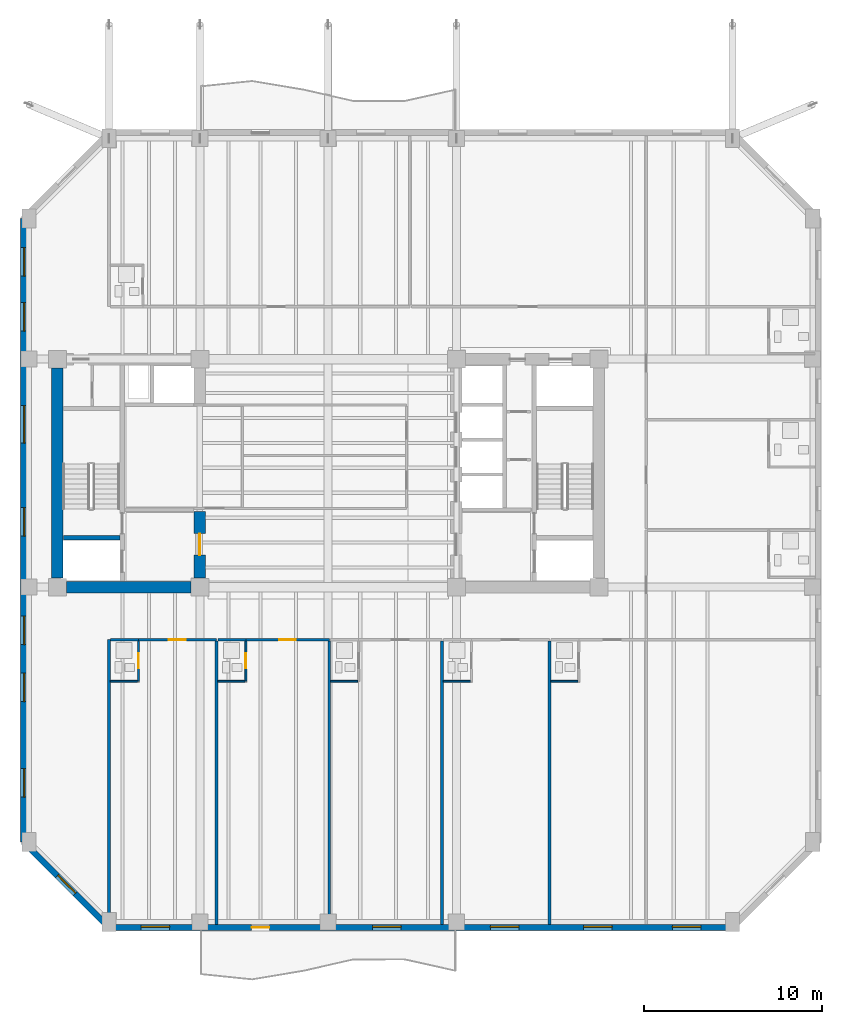
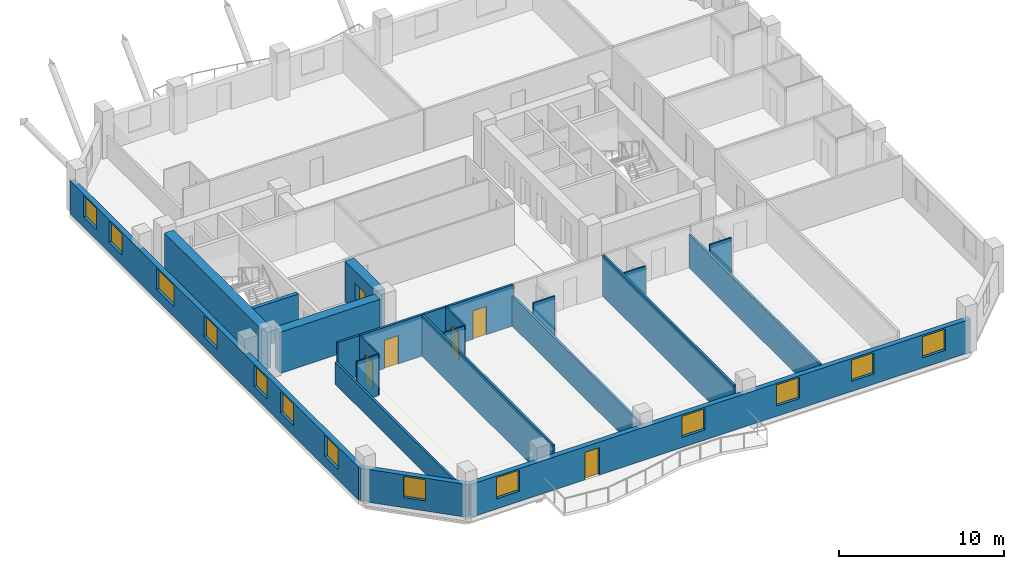
# One storey, part 5 of 12: 23 walls, 13 windows, 6 doors, 19 openings.
"""IFC4 building model written with IfcOpenShell, lengths in metres."""

from ifc_helpers import new_model, si_unit, direction, frame, frame_2d, origin, place, context, subcontext, project, spatial, rectangle, extrude, material, layer, layer_set, type_object, element, fill, save


model = new_model("IFC4")

# Units and contexts
model_context = context("Model", 3, precision=1e-05, world=origin(), true_north=direction((0.0, 1.0)))
body_context = subcontext(model_context, "Body", "Model", "MODEL_VIEW")
ifc_project = project(units=[si_unit("LENGTHUNIT", "METRE"), si_unit("AREAUNIT", "SQUARE_METRE"), si_unit("VOLUMEUNIT", "CUBIC_METRE"), si_unit("PLANEANGLEUNIT", "RADIAN"), si_unit("MASSUNIT", "GRAM", prefix="KILO")], contexts=[model_context])

# Site, building, storey
site_placement = place(None, origin())
site = spatial("IfcSite", under=ifc_project, at=site_placement, CompositionType="ELEMENT")
building_placement = place(site_placement, origin())
building = spatial("IfcBuilding", under=site, at=building_placement, Name="Kranthara Brick Stack", CompositionType="ELEMENT")
storey_placement = place(building_placement, frame((0.0, 0.0, 158.800048828125)))
storey = spatial("IfcBuildingStorey", under=building, at=storey_placement, Name="L40", CompositionType="ELEMENT", Elevation=158.800048828125)

# Wall, openings, door, windows
ifc_material_1 = material(Name="Kiln-fired clay brick masonry M15", Category="masonry")
ifc_layer_1 = layer(ifc_material_1, 0.35009765625)
ifc_layer_set_1 = layer_set([ifc_layer_1], Name="Kiln-fired clay brick masonry M15")
wall_type_1 = type_object("IfcWallType", Name="WL-BRK-SPND-350", PredefinedType="STANDARD", material=ifc_layer_set_1)
wall_1_placement = place(storey_placement, frame((50.699951171875, 1.695068359375, 0.0), z_axis=(0.0, 0.0, 1.0), x_axis=(-1.0, 0.0, 0.0)))
wall_1 = element("IfcWall", 1, at=wall_1_placement, inside=storey, type_object=wall_type_1, Name="L40 Exterior Brick Facade Wall SOUTH 1", PredefinedType="STANDARD", context=body_context, shape_type="SweptSolid", body=[
    extrude(rectangle(XDim=35.0, YDim=0.35009765625, at=frame_2d((17.5, 0.0))), origin(), (0.0, 0.0, 1.0), 2.43505859375),
])
opening_1_placement = place(wall_1_placement, frame((26.0, 0.0, 0.0)))
opening_1 = element("IfcOpeningElement", 2, at=opening_1_placement, cuts=wall_1, Name="Opening D03", PredefinedType="OPENING", context=body_context, shape_type="SweptSolid", body=[
    extrude(rectangle(XDim=1.0, YDim=2.02001953125, at=frame_2d((0.5, 1.010009765625))), frame((0.0, 0.18505859375, 0.0), z_axis=(0.0, -1.0, 0.0), x_axis=(1.0, 0.0, 0.0)), (0.0, 0.0, 1.0), 0.3701171875),
])
opening_2_placement = place(wall_1_placement, frame((1.77490234375, 0.0, 0.75)))
opening_2 = element("IfcOpeningElement", 3, at=opening_2_placement, cuts=wall_1, Name="Opening WN04", PredefinedType="OPENING", context=body_context, shape_type="SweptSolid", body=[
    extrude(rectangle(XDim=1.60009765625, YDim=1.56494140625, at=frame_2d((0.800048828125, 0.782470703125))), frame((0.0, 0.18505859375, 0.0), z_axis=(0.0, -1.0, 0.0), x_axis=(1.0, 0.0, 0.0)), (0.0, 0.0, 1.0), 0.3701171875),
])
opening_3_placement = place(wall_1_placement, frame((6.763916015625, 0.0, 0.75)))
opening_3 = element("IfcOpeningElement", 4, at=opening_3_placement, cuts=wall_1, Name="Opening WN04", PredefinedType="OPENING", context=body_context, shape_type="SweptSolid", body=[
    extrude(rectangle(XDim=1.60009765625, YDim=1.56494140625, at=frame_2d((0.800048828125, 0.782470703125))), frame((0.0, 0.18505859375, 0.0), z_axis=(0.0, -1.0, 0.0), x_axis=(1.0, 0.0, 0.0)), (0.0, 0.0, 1.0), 0.3701171875),
])
opening_4_placement = place(wall_1_placement, frame((11.989013671875, 0.0, 0.75)))
opening_4 = element("IfcOpeningElement", 5, at=opening_4_placement, cuts=wall_1, Name="Opening WN04", PredefinedType="OPENING", context=body_context, shape_type="SweptSolid", body=[
    extrude(rectangle(XDim=1.60009765625, YDim=1.56494140625, at=frame_2d((0.800048828125, 0.782470703125))), frame((0.0, 0.18505859375, 0.0), z_axis=(0.0, -1.0, 0.0), x_axis=(1.0, 0.0, 0.0)), (0.0, 0.0, 1.0), 0.3701171875),
])
opening_5_placement = place(wall_1_placement, frame((18.60400390625, 0.0, 0.75)))
opening_5 = element("IfcOpeningElement", 6, at=opening_5_placement, cuts=wall_1, Name="Opening WN04", PredefinedType="OPENING", context=body_context, shape_type="SweptSolid", body=[
    extrude(rectangle(XDim=1.60009765625, YDim=1.56494140625, at=frame_2d((0.800048828125, 0.782470703125))), frame((0.0, 0.18505859375, 0.0), z_axis=(0.0, -1.0, 0.0), x_axis=(1.0, 0.0, 0.0)), (0.0, 0.0, 1.0), 0.3701171875),
])
opening_6_placement = place(wall_1_placement, frame((31.60009765625, 0.0, 0.75)))
opening_6 = element("IfcOpeningElement", 7, at=opening_6_placement, cuts=wall_1, Name="Opening WN04", PredefinedType="OPENING", context=body_context, shape_type="SweptSolid", body=[
    extrude(rectangle(XDim=1.60009765625, YDim=1.56494140625, at=frame_2d((0.800048828125, 0.782470703125))), frame((0.0, 0.18505859375, 0.0), z_axis=(0.0, -1.0, 0.0), x_axis=(1.0, 0.0, 0.0)), (0.0, 0.0, 1.0), 0.3701171875),
])
ifc_material_2 = material(Name="Bronze anodised aluminium and laminated glass", Category="aluminium")
door_type_1 = type_object("IfcDoorType", Name="DR-BALC-1000", OperationType="NOTDEFINED", PredefinedType="DOOR", material=ifc_material_2)
door_1_placement = place(opening_1_placement, origin())
door_1 = element("IfcDoor", 8, at=door_1_placement, inside=storey, type_object=door_type_1, Name="L40 South Balcony Terrace Door", OperationType="SINGLE_SWING_LEFT", OverallHeight=2.02001953125, OverallWidth=1.0, PredefinedType="DOOR", context=body_context, shape_type="SweptSolid", body=[
    extrude(rectangle(XDim=1.0, YDim=2.02001953125, at=frame_2d((0.5, 1.010009765625))), frame((0.0, 0.02490234375, 0.0), z_axis=(0.0, -1.0, 0.0), x_axis=(1.0, 0.0, 0.0)), (0.0, 0.0, 1.0), 0.050048828125),
])
fill(opening_1, door_1)
ifc_material_3 = material(Name="Double-glazed low-E solar control glass", Category="glass")
window_type_1 = type_object("IfcWindowType", Name="WN-HTL-1600x1850", PartitioningType="DOUBLE_PANEL_VERTICAL", PredefinedType="WINDOW", material=ifc_material_3)
window_1_placement = place(opening_2_placement, origin())
window_1 = element("IfcWindow", 9, at=window_1_placement, inside=storey, type_object=window_type_1, Name="L40 South Deep-Set Brick Window 01", OverallHeight=1.56494140625, OverallWidth=1.60009765625, PartitioningType="SINGLE_PANEL", PredefinedType="WINDOW", context=body_context, shape_type="SweptSolid", body=[
    extrude(rectangle(XDim=1.60009765625, YDim=1.56494140625, at=frame_2d((0.800048828125, 0.782470703125))), frame((0.0, -0.010009765625, 0.0), z_axis=(0.0, -1.0, 0.0), x_axis=(1.0, 0.0, 0.0)), (0.0, 0.0, 1.0), 0.06005859375),
])
fill(opening_2, window_1)
window_2_placement = place(opening_3_placement, origin())
window_2 = element("IfcWindow", 10, at=window_2_placement, inside=storey, type_object=window_type_1, Name="L40 South Deep-Set Brick Window 02", OverallHeight=1.56494140625, OverallWidth=1.60009765625, PartitioningType="SINGLE_PANEL", PredefinedType="WINDOW", context=body_context, shape_type="SweptSolid", body=[
    extrude(rectangle(XDim=1.60009765625, YDim=1.56494140625, at=frame_2d((0.800048828125, 0.782470703125))), frame((0.0, -0.010009765625, 0.0), z_axis=(0.0, -1.0, 0.0), x_axis=(1.0, 0.0, 0.0)), (0.0, 0.0, 1.0), 0.06005859375),
])
fill(opening_3, window_2)
window_3_placement = place(opening_4_placement, origin())
window_3 = element("IfcWindow", 11, at=window_3_placement, inside=storey, type_object=window_type_1, Name="L40 South Deep-Set Brick Window 03", OverallHeight=1.56494140625, OverallWidth=1.60009765625, PartitioningType="SINGLE_PANEL", PredefinedType="WINDOW", context=body_context, shape_type="SweptSolid", body=[
    extrude(rectangle(XDim=1.60009765625, YDim=1.56494140625, at=frame_2d((0.800048828125, 0.782470703125))), frame((0.0, -0.010009765625, 0.0), z_axis=(0.0, -1.0, 0.0), x_axis=(1.0, 0.0, 0.0)), (0.0, 0.0, 1.0), 0.06005859375),
])
fill(opening_4, window_3)
window_4_placement = place(opening_5_placement, origin())
window_4 = element("IfcWindow", 12, at=window_4_placement, inside=storey, type_object=window_type_1, Name="L40 South Deep-Set Brick Window 04", OverallHeight=1.56494140625, OverallWidth=1.60009765625, PartitioningType="SINGLE_PANEL", PredefinedType="WINDOW", context=body_context, shape_type="SweptSolid", body=[
    extrude(rectangle(XDim=1.60009765625, YDim=1.56494140625, at=frame_2d((0.800048828125, 0.782470703125))), frame((0.0, -0.010009765625, 0.0), z_axis=(0.0, -1.0, 0.0), x_axis=(1.0, 0.0, 0.0)), (0.0, 0.0, 1.0), 0.06005859375),
])
fill(opening_5, window_4)
window_5_placement = place(opening_6_placement, origin())
window_5 = element("IfcWindow", 13, at=window_5_placement, inside=storey, type_object=window_type_1, Name="L40 South Deep-Set Brick Window 05", OverallHeight=1.56494140625, OverallWidth=1.60009765625, PartitioningType="SINGLE_PANEL", PredefinedType="WINDOW", context=body_context, shape_type="SweptSolid", body=[
    extrude(rectangle(XDim=1.60009765625, YDim=1.56494140625, at=frame_2d((0.800048828125, 0.782470703125))), frame((0.0, -0.010009765625, 0.0), z_axis=(0.0, -1.0, 0.0), x_axis=(1.0, 0.0, 0.0)), (0.0, 0.0, 1.0), 0.06005859375),
])
fill(opening_6, window_5)

# Wall, opening, window
wall_2_placement = place(storey_placement, frame((15.699951171875, 1.695068359375, 0.0), z_axis=(0.0, 0.0, 1.0), x_axis=(-0.707106781187, 0.707106781187, 0.0)))
wall_2 = element("IfcWall", 14, at=wall_2_placement, inside=storey, type_object=wall_type_1, Name="L40 Exterior Brick Facade Wall SW 1", PredefinedType="STANDARD", context=body_context, shape_type="SweptSolid", body=[
    extrude(rectangle(XDim=6.795166015625, YDim=0.35009765625, at=frame_2d((3.3974609375, 0.0))), origin(), (0.0, 0.0, 1.0), 2.43505859375),
])
opening_7_placement = place(wall_2_placement, frame((2.697998046875, 0.0, 0.75)))
opening_7 = element("IfcOpeningElement", 15, at=opening_7_placement, cuts=wall_2, Name="Opening WN10", PredefinedType="OPENING", context=body_context, shape_type="SweptSolid", body=[
    extrude(rectangle(XDim=1.39990234375, YDim=1.56494140625, at=frame_2d((0.699951171875, 0.782470703125))), frame((0.0, 0.18505859375, 0.0), z_axis=(0.0, -1.0, 0.0), x_axis=(1.0, 0.0, 0.0)), (0.0, 0.0, 1.0), 0.3701171875),
])
ifc_material_4 = material(Name="Double-glazed low-E solar control glass", Category="glass")
window_type_2 = type_object("IfcWindowType", Name="WN-CHM-1400x1750", PartitioningType="SINGLE_PANEL", PredefinedType="WINDOW", material=ifc_material_4)
window_6_placement = place(opening_7_placement, origin())
window_6 = element("IfcWindow", 16, at=window_6_placement, inside=storey, type_object=window_type_2, Name="L40 SW Chamfer Corner Window", OverallHeight=1.56494140625, OverallWidth=1.39990234375, PartitioningType="SINGLE_PANEL", PredefinedType="WINDOW", context=body_context, shape_type="SweptSolid", body=[
    extrude(rectangle(XDim=1.39990234375, YDim=1.56494140625, at=frame_2d((0.699951171875, 0.782470703125))), frame((0.0, -0.010009765625, 0.0), z_axis=(0.0, -1.0, 0.0), x_axis=(1.0, 0.0, 0.0)), (0.0, 0.0, 1.0), 0.06005859375),
])
fill(opening_7, window_6)

# Wall, openings, windows
wall_3_placement = place(storey_placement, frame((10.89501953125, 6.5, 0.0), z_axis=(0.0, 0.0, 1.0), x_axis=(0.0, 1.0, 0.0)))
wall_3 = element("IfcWall", 17, at=wall_3_placement, inside=storey, type_object=wall_type_1, Name="L40 Exterior Brick Facade Wall WEST 1", PredefinedType="STANDARD", context=body_context, shape_type="SweptSolid", body=[
    extrude(rectangle(XDim=35.0, YDim=0.35009765625, at=frame_2d((17.5, 0.0))), origin(), (0.0, 0.0, 1.0), 2.43505859375),
])
opening_8_placement = place(wall_3_placement, frame((2.512939453125, 0.0, 0.75)))
opening_8 = element("IfcOpeningElement", 18, at=opening_8_placement, cuts=wall_3, Name="Opening WN04", PredefinedType="OPENING", context=body_context, shape_type="SweptSolid", body=[
    extrude(rectangle(XDim=1.60009765625, YDim=1.56494140625, at=frame_2d((0.800048828125, 0.782470703125))), frame((0.0, 0.18505859375, 0.0), z_axis=(0.0, -1.0, 0.0), x_axis=(1.0, 0.0, 0.0)), (0.0, 0.0, 1.0), 0.3701171875),
])
opening_9_placement = place(wall_3_placement, frame((7.87890625, 0.0, 0.75)))
opening_9 = element("IfcOpeningElement", 19, at=opening_9_placement, cuts=wall_3, Name="Opening WN04", PredefinedType="OPENING", context=body_context, shape_type="SweptSolid", body=[
    extrude(rectangle(XDim=1.60009765625, YDim=1.56494140625, at=frame_2d((0.800048828125, 0.782470703125))), frame((0.0, 0.18505859375, 0.0), z_axis=(0.0, -1.0, 0.0), x_axis=(1.0, 0.0, 0.0)), (0.0, 0.0, 1.0), 0.3701171875),
])
opening_10_placement = place(wall_3_placement, frame((11.071044921875, 0.0, 0.75)))
opening_10 = element("IfcOpeningElement", 20, at=opening_10_placement, cuts=wall_3, Name="Opening WN04", PredefinedType="OPENING", context=body_context, shape_type="SweptSolid", body=[
    extrude(rectangle(XDim=1.60009765625, YDim=1.56494140625, at=frame_2d((0.800048828125, 0.782470703125))), frame((0.0, 0.18505859375, 0.0), z_axis=(0.0, -1.0, 0.0), x_axis=(1.0, 0.0, 0.0)), (0.0, 0.0, 1.0), 0.3701171875),
])
opening_11_placement = place(wall_3_placement, frame((17.1640625, 0.0, 0.75)))
opening_11 = element("IfcOpeningElement", 21, at=opening_11_placement, cuts=wall_3, Name="Opening WN04", PredefinedType="OPENING", context=body_context, shape_type="SweptSolid", body=[
    extrude(rectangle(XDim=1.60009765625, YDim=1.56494140625, at=frame_2d((0.800048828125, 0.782470703125))), frame((0.0, 0.18505859375, 0.0), z_axis=(0.0, -1.0, 0.0), x_axis=(1.0, 0.0, 0.0)), (0.0, 0.0, 1.0), 0.3701171875),
])
opening_12_placement = place(wall_3_placement, frame((22.385986328125, 0.0, 0.75)))
opening_12 = element("IfcOpeningElement", 22, at=opening_12_placement, cuts=wall_3, Name="Opening WN05", PredefinedType="OPENING", context=body_context, shape_type="SweptSolid", body=[
    extrude(rectangle(XDim=2.10009765625, YDim=1.56494140625, at=frame_2d((1.050048828125, 0.782470703125))), frame((0.0, 0.18505859375, 0.0), z_axis=(0.0, -1.0, 0.0), x_axis=(1.0, 0.0, 0.0)), (0.0, 0.0, 1.0), 0.3701171875),
])
opening_13_placement = place(wall_3_placement, frame((28.6708984375, 0.0, 0.75)))
opening_13 = element("IfcOpeningElement", 23, at=opening_13_placement, cuts=wall_3, Name="Opening WN04", PredefinedType="OPENING", context=body_context, shape_type="SweptSolid", body=[
    extrude(rectangle(XDim=1.60009765625, YDim=1.56494140625, at=frame_2d((0.800048828125, 0.782470703125))), frame((0.0, 0.18505859375, 0.0), z_axis=(0.0, -1.0, 0.0), x_axis=(1.0, 0.0, 0.0)), (0.0, 0.0, 1.0), 0.3701171875),
])
opening_14_placement = place(wall_3_placement, frame((31.7548828125, 0.0, 0.75)))
opening_14 = element("IfcOpeningElement", 24, at=opening_14_placement, cuts=wall_3, Name="Opening WN04", PredefinedType="OPENING", context=body_context, shape_type="SweptSolid", body=[
    extrude(rectangle(XDim=1.60009765625, YDim=1.56494140625, at=frame_2d((0.800048828125, 0.782470703125))), frame((0.0, 0.18505859375, 0.0), z_axis=(0.0, -1.0, 0.0), x_axis=(1.0, 0.0, 0.0)), (0.0, 0.0, 1.0), 0.3701171875),
])
window_7_placement = place(opening_8_placement, origin())
window_7 = element("IfcWindow", 25, at=window_7_placement, inside=storey, type_object=window_type_1, Name="L40 West Deep-Set Brick Window 01", OverallHeight=1.56494140625, OverallWidth=1.60009765625, PartitioningType="SINGLE_PANEL", PredefinedType="WINDOW", context=body_context, shape_type="SweptSolid", body=[
    extrude(rectangle(XDim=1.60009765625, YDim=1.56494140625, at=frame_2d((0.800048828125, 0.782470703125))), frame((0.0, -0.010009765625, 0.0), z_axis=(0.0, -1.0, 0.0), x_axis=(1.0, 0.0, 0.0)), (0.0, 0.0, 1.0), 0.06005859375),
])
fill(opening_8, window_7)
window_8_placement = place(opening_9_placement, origin())
window_8 = element("IfcWindow", 26, at=window_8_placement, inside=storey, type_object=window_type_1, Name="L40 West Deep-Set Brick Window 02", OverallHeight=1.56494140625, OverallWidth=1.60009765625, PartitioningType="SINGLE_PANEL", PredefinedType="WINDOW", context=body_context, shape_type="SweptSolid", body=[
    extrude(rectangle(XDim=1.60009765625, YDim=1.56494140625, at=frame_2d((0.800048828125, 0.782470703125))), frame((0.0, -0.010009765625, 0.0), z_axis=(0.0, -1.0, 0.0), x_axis=(1.0, 0.0, 0.0)), (0.0, 0.0, 1.0), 0.06005859375),
])
fill(opening_9, window_8)
window_9_placement = place(opening_10_placement, origin())
window_9 = element("IfcWindow", 27, at=window_9_placement, inside=storey, type_object=window_type_1, Name="L40 West Deep-Set Brick Window 03", OverallHeight=1.56494140625, OverallWidth=1.60009765625, PartitioningType="SINGLE_PANEL", PredefinedType="WINDOW", context=body_context, shape_type="SweptSolid", body=[
    extrude(rectangle(XDim=1.60009765625, YDim=1.56494140625, at=frame_2d((0.800048828125, 0.782470703125))), frame((0.0, -0.010009765625, 0.0), z_axis=(0.0, -1.0, 0.0), x_axis=(1.0, 0.0, 0.0)), (0.0, 0.0, 1.0), 0.06005859375),
])
fill(opening_10, window_9)
window_10_placement = place(opening_11_placement, origin())
window_10 = element("IfcWindow", 28, at=window_10_placement, inside=storey, type_object=window_type_1, Name="L40 West Deep-Set Brick Window 04", OverallHeight=1.56494140625, OverallWidth=1.60009765625, PartitioningType="SINGLE_PANEL", PredefinedType="WINDOW", context=body_context, shape_type="SweptSolid", body=[
    extrude(rectangle(XDim=1.60009765625, YDim=1.56494140625, at=frame_2d((0.800048828125, 0.782470703125))), frame((0.0, -0.010009765625, 0.0), z_axis=(0.0, -1.0, 0.0), x_axis=(1.0, 0.0, 0.0)), (0.0, 0.0, 1.0), 0.06005859375),
])
fill(opening_11, window_10)
window_11_placement = place(opening_13_placement, origin())
window_11 = element("IfcWindow", 29, at=window_11_placement, inside=storey, type_object=window_type_1, Name="L40 West Deep-Set Brick Window 06", OverallHeight=1.56494140625, OverallWidth=1.60009765625, PartitioningType="SINGLE_PANEL", PredefinedType="WINDOW", context=body_context, shape_type="SweptSolid", body=[
    extrude(rectangle(XDim=1.60009765625, YDim=1.56494140625, at=frame_2d((0.800048828125, 0.782470703125))), frame((0.0, -0.010009765625, 0.0), z_axis=(0.0, -1.0, 0.0), x_axis=(1.0, 0.0, 0.0)), (0.0, 0.0, 1.0), 0.06005859375),
])
fill(opening_13, window_11)
window_12_placement = place(opening_14_placement, origin())
window_12 = element("IfcWindow", 30, at=window_12_placement, inside=storey, type_object=window_type_1, Name="L40 West Deep-Set Brick Window 07", OverallHeight=1.56494140625, OverallWidth=1.60009765625, PartitioningType="SINGLE_PANEL", PredefinedType="WINDOW", context=body_context, shape_type="SweptSolid", body=[
    extrude(rectangle(XDim=1.60009765625, YDim=1.56494140625, at=frame_2d((0.800048828125, 0.782470703125))), frame((0.0, -0.010009765625, 0.0), z_axis=(0.0, -1.0, 0.0), x_axis=(1.0, 0.0, 0.0)), (0.0, 0.0, 1.0), 0.06005859375),
])
fill(opening_14, window_12)
ifc_material_5 = material(Name="Double-glazed low-E solar control glass", Category="glass")
window_type_3 = type_object("IfcWindowType", Name="WN-HTL-2100x1850", PartitioningType="DOUBLE_PANEL_VERTICAL", PredefinedType="WINDOW", material=ifc_material_5)
window_13_placement = place(opening_12_placement, origin())
window_13 = element("IfcWindow", 31, at=window_13_placement, inside=storey, type_object=window_type_3, Name="L40 West Deep-Set Brick Window 05", OverallHeight=1.56494140625, OverallWidth=2.10009765625, PartitioningType="SINGLE_PANEL", PredefinedType="WINDOW", context=body_context, shape_type="SweptSolid", body=[
    extrude(rectangle(XDim=2.10009765625, YDim=1.56494140625, at=frame_2d((1.050048828125, 0.782470703125))), frame((0.0, -0.010009765625, 0.0), z_axis=(0.0, -1.0, 0.0), x_axis=(1.0, 0.0, 0.0)), (0.0, 0.0, 1.0), 0.06005859375),
])
fill(opening_12, window_13)

# Walls
ifc_material_6 = material(Name="Concrete C50/60", Category="concrete")
ifc_layer_2 = layer(ifc_material_6, 0.25)
ifc_layer_set_2 = layer_set([ifc_layer_2], Name="Concrete C50/60")
wall_type_2 = type_object("IfcWallType", Name="WL-CORE-250", PredefinedType="SHEAR", material=ifc_layer_set_2)
wall_4_placement = place(storey_placement, frame((13.135009765625, 23.570068359375, 0.0), z_axis=(0.0, 0.0, 1.0), x_axis=(1.0, 0.0, 0.0)))
element("IfcWall", 32, at=wall_4_placement, inside=storey, type_object=wall_type_2, Name="L40 West Stairwell Bearing Wall WFF", PredefinedType="SHEAR", context=body_context, shape_type="SweptSolid", body=[
    extrude(rectangle(XDim=3.175048828125, YDim=0.25, at=frame_2d((1.58740234375, 0.0))), origin(), (0.0, 0.0, 1.0), 3.050048828125),
])
ifc_material_7 = material(Name="Concrete C60/75", Category="concrete")
ifc_layer_3 = layer(ifc_material_7, 0.64990234375)
ifc_layer_set_3 = layer_set([ifc_layer_3], Name="Concrete C60/75")
wall_type_3 = type_object("IfcWallType", Name="WL-CORE-650", PredefinedType="SHEAR", material=ifc_layer_set_3)
wall_5_placement = place(storey_placement, frame((12.800048828125, 21.304931640625, 0.0), z_axis=(0.0, 0.0, 1.0), x_axis=(0.0, 1.0, 0.0)))
element("IfcWall", 33, at=wall_5_placement, inside=storey, type_object=wall_type_3, Name="L40 West Core Shear Wall West", PredefinedType="SHEAR", context=body_context, shape_type="SweptSolid", body=[
    extrude(rectangle(XDim=11.7900390625, YDim=0.64990234375, at=frame_2d((5.89501953125, 0.0))), origin(), (0.0, 0.0, 1.0), 3.050048828125),
])
wall_6_placement = place(storey_placement, frame((13.304931640625, 20.800048828125, 0.0), z_axis=(0.0, 0.0, 1.0), x_axis=(1.0, 0.0, 0.0)))
element("IfcWall", 34, at=wall_6_placement, inside=storey, type_object=wall_type_3, Name="L40 West Core Shear Wall South", PredefinedType="SHEAR", context=body_context, shape_type="SweptSolid", body=[
    extrude(rectangle(XDim=6.989990234375, YDim=0.64990234375, at=frame_2d((3.4951171875, 0.0))), origin(), (0.0, 0.0, 1.0), 3.050048828125),
])

# Wall, opening, door
wall_7_placement = place(storey_placement, frame((20.800048828125, 21.304931640625, 0.0), z_axis=(0.0, 0.0, 1.0), x_axis=(0.0, 1.0, 0.0)))
wall_7 = element("IfcWall", 35, at=wall_7_placement, inside=storey, type_object=wall_type_3, Name="L40 West Core Lobby Shear Wall", PredefinedType="SHEAR", context=body_context, shape_type="SweptSolid", body=[
    extrude(rectangle(XDim=3.7451171875, YDim=0.64990234375, at=frame_2d((1.87255859375, 0.0))), origin(), (0.0, 0.0, 1.0), 3.050048828125),
])
opening_15_placement = place(wall_7_placement, frame((1.294921875, 0.0, 0.0)))
opening_15 = element("IfcOpeningElement", 36, at=opening_15_placement, cuts=wall_7, Name="Opening D06", PredefinedType="OPENING", context=body_context, shape_type="SweptSolid", body=[
    extrude(rectangle(XDim=1.199951171875, YDim=2.14990234375, at=frame_2d((0.60009765625, 1.074951171875))), frame((0.0, 0.3349609375, 0.0), z_axis=(0.0, -1.0, 0.0), x_axis=(1.0, 0.0, 0.0)), (0.0, 0.0, 1.0), 0.669921875),
])
ifc_material_8 = material(Name="Solid-core hardwood timber leaf in steel frame", Category="steel")
door_type_2 = type_object("IfcDoorType", Name="DR-FFL-1200", OperationType="NOTDEFINED", PredefinedType="DOOR", material=ifc_material_8)
door_2_placement = place(opening_15_placement, origin())
door_2 = element("IfcDoor", 37, at=door_2_placement, inside=storey, type_object=door_type_2, Name="L40 West Firefighting Lobby Door", OperationType="SINGLE_SWING_LEFT", OverallHeight=2.14990234375, OverallWidth=1.199951171875, PredefinedType="DOOR", context=body_context, shape_type="SweptSolid", body=[
    extrude(rectangle(XDim=1.199951171875, YDim=2.14990234375, at=frame_2d((0.60009765625, 1.074951171875))), frame((0.0, 0.02490234375, 0.0), z_axis=(0.0, -1.0, 0.0), x_axis=(1.0, 0.0, 0.0)), (0.0, 0.0, 1.0), 0.050048828125),
])
fill(opening_15, door_2)

ifc_material_9 = material(Name="Moisture-resistant wet-room partition", Category="other")
ifc_layer_4 = layer(ifc_material_9, 0.10009765625)
ifc_layer_set_4 = layer_set([ifc_layer_4], Name="Moisture-resistant wet-room partition")
wall_type_4 = type_object("IfcWallType", Name="WL-PART-100", PredefinedType="PARTITIONING", material=ifc_layer_set_4)
wall_8_placement = place(storey_placement, frame((17.35009765625, 15.52001953125, 0.0), z_axis=(0.0, 0.0, 1.0), x_axis=(0.0, 1.0, 0.0)))
wall_8 = element("IfcWall", 38, at=wall_8_placement, inside=storey, type_object=wall_type_4, Name="L40 Interior Partition 012", PredefinedType="PARTITIONING", context=body_context, shape_type="SweptSolid", body=[
    extrude(rectangle(XDim=2.25, YDim=0.10009765625, at=frame_2d((1.125, 0.0))), origin(), (0.0, 0.0, 1.0), 3.050048828125),
])
opening_16_placement = place(wall_8_placement, frame((0.719970703125, 0.0, 0.0)))
opening_16 = element("IfcOpeningElement", 39, at=opening_16_placement, cuts=wall_8, Name="Opening D17", PredefinedType="OPENING", context=body_context, shape_type="SweptSolid", body=[
    extrude(rectangle(XDim=0.85009765625, YDim=2.050048828125, at=frame_2d((0.425048828125, 1.02490234375))), frame((0.0, 0.06005859375, 0.0), z_axis=(0.0, -1.0, 0.0), x_axis=(1.0, 0.0, 0.0)), (0.0, 0.0, 1.0), 0.1201171875),
])
ifc_material_10 = material(Name="Solid-core hardwood timber leaf in steel frame", Category="steel")
door_type_3 = type_object("IfcDoorType", Name="DR-WET-850", OperationType="NOTDEFINED", PredefinedType="DOOR", material=ifc_material_10)
door_3_placement = place(opening_16_placement, origin())
door_3 = element("IfcDoor", 40, at=door_3_placement, inside=storey, type_object=door_type_3, Name="L40 Key 01 En-Suite Door 07", OperationType="SINGLE_SWING_LEFT", OverallHeight=2.050048828125, OverallWidth=0.85009765625, PredefinedType="DOOR", context=body_context, shape_type="SweptSolid", body=[
    extrude(rectangle(XDim=0.85009765625, YDim=2.050048828125, at=frame_2d((0.425048828125, 1.02490234375))), frame((0.0, 0.02490234375, 0.0), z_axis=(0.0, -1.0, 0.0), x_axis=(1.0, 0.0, 0.0)), (0.0, 0.0, 1.0), 0.050048828125),
])
fill(opening_16, door_3)

# Wall
wall_9_placement = place(storey_placement, frame((15.780029296875, 15.52001953125, 0.0), z_axis=(0.0, 0.0, 1.0), x_axis=(1.0, 0.0, 0.0)))
element("IfcWall", 41, at=wall_9_placement, inside=storey, type_object=wall_type_4, Name="L40 Interior Partition 013", PredefinedType="PARTITIONING", context=body_context, shape_type="SweptSolid", body=[
    extrude(rectangle(XDim=1.514892578125, YDim=0.10009765625, at=frame_2d((0.75732421875, 0.0))), origin(), (0.0, 0.0, 1.0), 3.050048828125),
])

# Wall, opening, door
wall_10_placement = place(storey_placement, frame((23.3798828125, 15.52001953125, 0.0), z_axis=(0.0, 0.0, 1.0), x_axis=(0.0, 1.0, 0.0)))
wall_10 = element("IfcWall", 42, at=wall_10_placement, inside=storey, type_object=wall_type_4, Name="L40 Interior Partition 017", PredefinedType="PARTITIONING", context=body_context, shape_type="SweptSolid", body=[
    extrude(rectangle(XDim=2.25, YDim=0.10009765625, at=frame_2d((1.125, 0.0))), origin(), (0.0, 0.0, 1.0), 3.050048828125),
])
opening_17_placement = place(wall_10_placement, frame((0.719970703125, 0.0, 0.0)))
opening_17 = element("IfcOpeningElement", 43, at=opening_17_placement, cuts=wall_10, Name="Opening D17", PredefinedType="OPENING", context=body_context, shape_type="SweptSolid", body=[
    extrude(rectangle(XDim=0.85009765625, YDim=2.050048828125, at=frame_2d((0.425048828125, 1.02490234375))), frame((0.0, 0.06005859375, 0.0), z_axis=(0.0, -1.0, 0.0), x_axis=(1.0, 0.0, 0.0)), (0.0, 0.0, 1.0), 0.1201171875),
])
door_4_placement = place(opening_17_placement, origin())
door_4 = element("IfcDoor", 44, at=door_4_placement, inside=storey, type_object=door_type_3, Name="L40 Key 02 En-Suite Door 09", OperationType="SINGLE_SWING_LEFT", OverallHeight=2.050048828125, OverallWidth=0.85009765625, PredefinedType="DOOR", context=body_context, shape_type="SweptSolid", body=[
    extrude(rectangle(XDim=0.85009765625, YDim=2.050048828125, at=frame_2d((0.425048828125, 1.02490234375))), frame((0.0, 0.02490234375, 0.0), z_axis=(0.0, -1.0, 0.0), x_axis=(1.0, 0.0, 0.0)), (0.0, 0.0, 1.0), 0.050048828125),
])
fill(opening_17, door_4)

# Walls
for number, where, z_axis, x_axis, name in (
    (45, (21.81005859375, 15.52001953125, 0.0), (0.0, 0.0, 1.0), (1.0, 0.0, 0.0), "L40 Interior Partition 018"),
    (46, (28.14111328125, 15.52001953125, 0.0), (0.0, 0.0, 1.0), (1.0, 0.0, 0.0), "L40 Interior Partition 023"),
):
    element("IfcWall", number, at=place(storey_placement, frame(where, z_axis=z_axis, x_axis=x_axis)), inside=storey, type_object=wall_type_4, Name=name, PredefinedType="PARTITIONING", context=body_context, shape_type="SweptSolid", body=[
        extrude(rectangle(XDim=1.514892578125, YDim=0.10009765625, at=frame_2d((0.75732421875, 0.0))), origin(), (0.0, 0.0, 1.0), 3.050048828125),
    ])
for number, where, z_axis, x_axis, name in (
    (47, (34.472900390625, 15.52001953125, 0.0), (0.0, 0.0, 1.0), (1.0, 0.0, 0.0), "L40 Interior Partition 028"),
    (48, (40.5029296875, 15.52001953125, 0.0), (0.0, 0.0, 1.0), (1.0, 0.0, 0.0), "L40 Interior Partition 033"),
):
    element("IfcWall", number, at=place(storey_placement, frame(where, z_axis=z_axis, x_axis=x_axis)), inside=storey, type_object=wall_type_4, Name=name, PredefinedType="PARTITIONING", context=body_context, shape_type="SweptSolid", body=[
        extrude(rectangle(XDim=1.51513671875, YDim=0.10009765625, at=frame_2d((0.757568359375, 0.0))), origin(), (0.0, 0.0, 1.0), 3.050048828125),
    ])
ifc_material_11 = material(Name="Fire-rated gypsum board partition", Category="other")
ifc_layer_5 = layer(ifc_material_11, 0.14990234375)
ifc_layer_set_5 = layer_set([ifc_layer_5], Name="Fire-rated gypsum board partition")
wall_type_5 = type_object("IfcWallType", Name="WL-PART-150", PredefinedType="PARTITIONING", material=ifc_layer_set_5)
wall_11_placement = place(storey_placement, frame((15.699951171875, 1.875, 0.0), z_axis=(0.0, 0.0, 1.0), x_axis=(0.0, 1.0, 0.0)))
element("IfcWall", 49, at=wall_11_placement, inside=storey, type_object=wall_type_5, Name="L40 Interior Partition 009", PredefinedType="PARTITIONING", context=body_context, shape_type="SweptSolid", body=[
    extrude(rectangle(XDim=15.97509765625, YDim=0.14990234375, at=frame_2d((7.987548828125, 0.0))), origin(), (0.0, 0.0, 1.0), 1.635009765625),
])
wall_12_placement = place(storey_placement, frame((15.780029296875, 17.85009765625, 0.0), z_axis=(0.0, 0.0, 1.0), x_axis=(1.0, 0.0, 0.0)))
element("IfcWall", 50, at=wall_12_placement, inside=storey, type_object=wall_type_5, Name="L40 Interior Partition 010", PredefinedType="PARTITIONING", context=body_context, shape_type="SweptSolid", body=[
    extrude(rectangle(XDim=1.570068359375, YDim=0.14990234375, at=frame_2d((0.78515625, 0.0))), origin(), (0.0, 0.0, 1.0), 3.050048828125),
])

# Wall, opening, door
wall_13_placement = place(storey_placement, frame((17.35009765625, 17.85009765625, 0.0), z_axis=(0.0, 0.0, 1.0), x_axis=(1.0, 0.0, 0.0)))
wall_13 = element("IfcWall", 51, at=wall_13_placement, inside=storey, type_object=wall_type_5, Name="L40 Interior Partition 011", PredefinedType="PARTITIONING", context=body_context, shape_type="SweptSolid", body=[
    extrude(rectangle(XDim=4.3798828125, YDim=0.14990234375, at=frame_2d((2.18994140625, 0.0))), origin(), (0.0, 0.0, 1.0), 3.050048828125),
])
opening_18_placement = place(wall_13_placement, frame((1.7099609375, 0.0, 0.0)))
opening_18 = element("IfcOpeningElement", 52, at=opening_18_placement, cuts=wall_13, Name="Opening D09", PredefinedType="OPENING", context=body_context, shape_type="SweptSolid", body=[
    extrude(rectangle(XDim=0.949951171875, YDim=2.10009765625, at=frame_2d((0.47509765625, 1.050048828125))), frame((0.0, 0.0849609375, 0.0), z_axis=(0.0, -1.0, 0.0), x_axis=(1.0, 0.0, 0.0)), (0.0, 0.0, 1.0), 0.169921875),
])
ifc_material_12 = material(Name="Solid-core hardwood timber leaf in steel frame", Category="steel")
door_type_4 = type_object("IfcDoorType", Name="DR-FD-950", OperationType="NOTDEFINED", PredefinedType="DOOR", material=ifc_material_12)
door_5_placement = place(opening_18_placement, origin())
door_5 = element("IfcDoor", 53, at=door_5_placement, inside=storey, type_object=door_type_4, Name="L40 Key 01 Entry 08", OperationType="SINGLE_SWING_RIGHT", OverallHeight=2.10009765625, OverallWidth=0.949951171875, PredefinedType="DOOR", context=body_context, shape_type="SweptSolid", body=[
    extrude(rectangle(XDim=0.949951171875, YDim=2.10009765625, at=frame_2d((0.47509765625, 1.050048828125))), frame((0.0, 0.02490234375, 0.0), z_axis=(0.0, -1.0, 0.0), x_axis=(1.0, 0.0, 0.0)), (0.0, 0.0, 1.0), 0.050048828125),
])
fill(opening_18, door_5)

# Walls
wall_14_placement = place(storey_placement, frame((21.72998046875, 1.875, 0.0), z_axis=(0.0, 0.0, 1.0), x_axis=(0.0, 1.0, 0.0)))
element("IfcWall", 54, at=wall_14_placement, inside=storey, type_object=wall_type_5, Name="L40 Interior Partition 014", PredefinedType="PARTITIONING", context=body_context, shape_type="SweptSolid", body=[
    extrude(rectangle(XDim=15.89501953125, YDim=0.14990234375, at=frame_2d((7.947509765625, 0.0))), origin(), (0.0, 0.0, 1.0), 3.050048828125),
])
wall_15_placement = place(storey_placement, frame((21.81005859375, 17.85009765625, 0.0), z_axis=(0.0, 0.0, 1.0), x_axis=(1.0, 0.0, 0.0)))
element("IfcWall", 55, at=wall_15_placement, inside=storey, type_object=wall_type_5, Name="L40 Interior Partition 015", PredefinedType="PARTITIONING", context=body_context, shape_type="SweptSolid", body=[
    extrude(rectangle(XDim=1.56982421875, YDim=0.14990234375, at=frame_2d((0.784912109375, 0.0))), origin(), (0.0, 0.0, 1.0), 3.050048828125),
])

# Wall, opening, door
wall_16_placement = place(storey_placement, frame((23.3798828125, 17.85009765625, 0.0), z_axis=(0.0, 0.0, 1.0), x_axis=(1.0, 0.0, 0.0)))
wall_16 = element("IfcWall", 56, at=wall_16_placement, inside=storey, type_object=wall_type_5, Name="L40 Interior Partition 016", PredefinedType="PARTITIONING", context=body_context, shape_type="SweptSolid", body=[
    extrude(rectangle(XDim=4.68115234375, YDim=0.14990234375, at=frame_2d((2.340576171875, 0.0))), origin(), (0.0, 0.0, 1.0), 3.050048828125),
])
opening_19_placement = place(wall_16_placement, frame((1.861083984375, 0.0, 0.0)))
opening_19 = element("IfcOpeningElement", 57, at=opening_19_placement, cuts=wall_16, Name="Opening D09", PredefinedType="OPENING", context=body_context, shape_type="SweptSolid", body=[
    extrude(rectangle(XDim=0.949951171875, YDim=2.10009765625, at=frame_2d((0.47509765625, 1.050048828125))), frame((0.0, 0.0849609375, 0.0), z_axis=(0.0, -1.0, 0.0), x_axis=(1.0, 0.0, 0.0)), (0.0, 0.0, 1.0), 0.169921875),
])
door_6_placement = place(opening_19_placement, origin())
door_6 = element("IfcDoor", 58, at=door_6_placement, inside=storey, type_object=door_type_4, Name="L40 Key 02 Entry 10", OperationType="SINGLE_SWING_RIGHT", OverallHeight=2.10009765625, OverallWidth=0.949951171875, PredefinedType="DOOR", context=body_context, shape_type="SweptSolid", body=[
    extrude(rectangle(XDim=0.949951171875, YDim=2.10009765625, at=frame_2d((0.47509765625, 1.050048828125))), frame((0.0, 0.02490234375, 0.0), z_axis=(0.0, -1.0, 0.0), x_axis=(1.0, 0.0, 0.0)), (0.0, 0.0, 1.0), 0.050048828125),
])
fill(opening_19, door_6)

# Walls
wall_17_placement = place(storey_placement, frame((28.06103515625, 1.875, 0.0), z_axis=(0.0, 0.0, 1.0), x_axis=(0.0, 1.0, 0.0)))
element("IfcWall", 59, at=wall_17_placement, inside=storey, type_object=wall_type_5, Name="L40 Interior Partition 019", PredefinedType="PARTITIONING", context=body_context, shape_type="SweptSolid", body=[
    extrude(rectangle(XDim=15.89501953125, YDim=0.14990234375, at=frame_2d((7.947509765625, 0.0))), origin(), (0.0, 0.0, 1.0), 2.23486328125),
])
wall_18_placement = place(storey_placement, frame((34.39306640625, 1.875, 0.0), z_axis=(0.0, 0.0, 1.0), x_axis=(0.0, 1.0, 0.0)))
element("IfcWall", 60, at=wall_18_placement, inside=storey, type_object=wall_type_5, Name="L40 Interior Partition 024", PredefinedType="PARTITIONING", context=body_context, shape_type="SweptSolid", body=[
    extrude(rectangle(XDim=15.89501953125, YDim=0.14990234375, at=frame_2d((7.947509765625, 0.0))), origin(), (0.0, 0.0, 1.0), 3.050048828125),
])
wall_19_placement = place(storey_placement, frame((40.423095703125, 1.875, 0.0), z_axis=(0.0, 0.0, 1.0), x_axis=(0.0, 1.0, 0.0)))
element("IfcWall", 61, at=wall_19_placement, inside=storey, type_object=wall_type_5, Name="L40 Interior Partition 029", PredefinedType="PARTITIONING", context=body_context, shape_type="SweptSolid", body=[
    extrude(rectangle(XDim=15.89501953125, YDim=0.14990234375, at=frame_2d((7.947509765625, 0.0))), origin(), (0.0, 0.0, 1.0), 2.48486328125),
])

save(model, "model.ifc")
